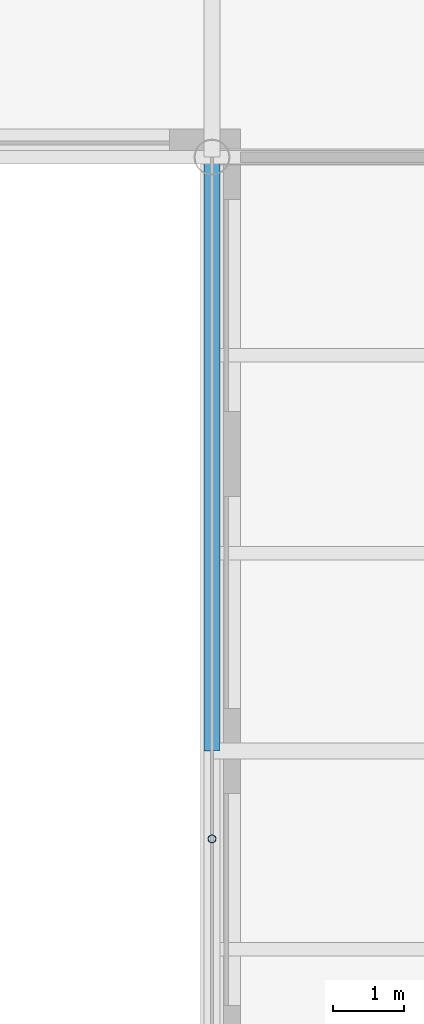
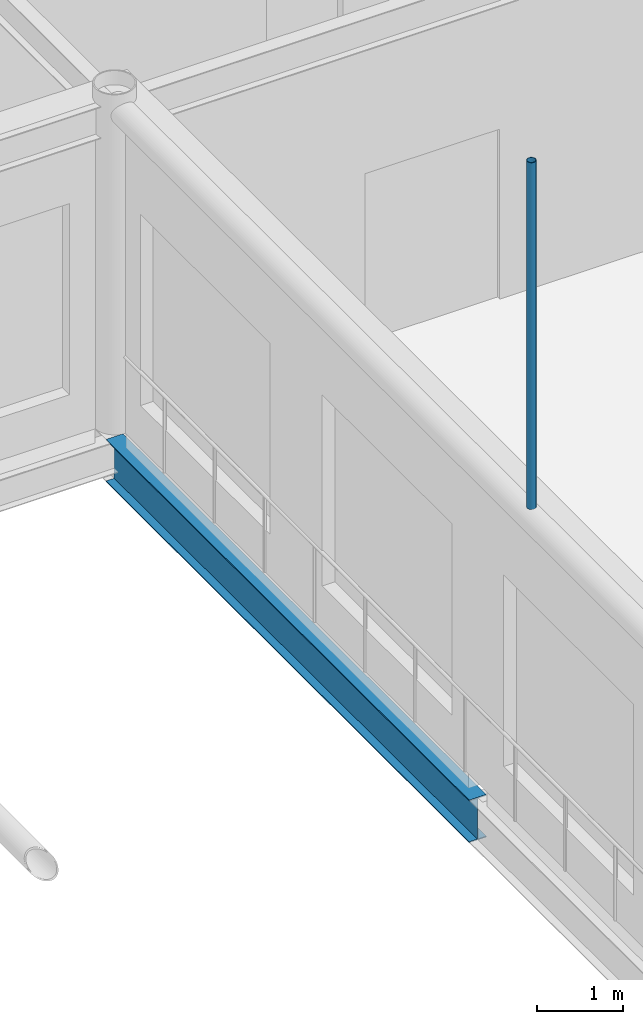
# One storey, part 60 of 167: 1 beam, 1 member.
"""IFC4 building model written with IfcOpenShell, lengths in metres."""

from ifc_helpers import new_model, si_unit, direction, frame, origin, origin_2d, place, context, subcontext, project, spatial, hollow_circle, i_section, extrude, material, material_profile, profile_set, type_object, element, save


model = new_model("IFC4")

# Units and contexts
model_context = context("Model", 3, precision=1e-05, world=origin(), true_north=direction((0.0, 1.0)))
body_context = subcontext(model_context, "Body", "Model", "MODEL_VIEW")
ifc_project = project(units=[si_unit("LENGTHUNIT", "METRE"), si_unit("AREAUNIT", "SQUARE_METRE"), si_unit("VOLUMEUNIT", "CUBIC_METRE"), si_unit("PLANEANGLEUNIT", "RADIAN"), si_unit("MASSUNIT", "GRAM", prefix="KILO")], contexts=[model_context])

# Site, building, storey
site_placement = place(None, origin())
site = spatial("IfcSite", under=ifc_project, at=site_placement, CompositionType="ELEMENT")
building_placement = place(site_placement, origin())
building = spatial("IfcBuilding", under=site, at=building_placement, Name="Catenary Quay Ferry Terminal", CompositionType="ELEMENT")
storey_placement = place(building_placement, frame((0.0, 0.0, 6.0)))
storey = spatial("IfcBuildingStorey", under=building, at=storey_placement, Name="L01", CompositionType="ELEMENT", Elevation=6.0)

# Beam
ifc_material_1 = material(Name="Steel S355", Category="steel")
ifc_material_profile_1 = material_profile(ifc_material_1, i_section(OverallWidth=0.2275390625, OverallDepth=0.6025390625, WebThickness=0.010498046875, FlangeThickness=0.014892578125, at=origin_2d()), Name="UB 610x229x101")
ifc_profile_set_1 = profile_set([ifc_material_profile_1], Name="Steel S355")
beam_type = type_object("IfcBeamType", Name="B3 UB 610x229x101", PredefinedType="BEAM", material=ifc_profile_set_1)
beam_placement = place(storey_placement, frame((58.800048828125, 92.39990234375, -0.5009765625), z_axis=(0.0, 1.0, 0.0), x_axis=(-1.0, 0.0, 0.0)))
element("IfcBeam", 1, at=beam_placement, inside=storey, type_object=beam_type, Name="Beam B3-028", PredefinedType="BEAM", context=body_context, shape_type="SweptSolid", body=[
    extrude(i_section(OverallWidth=0.2275390625, OverallDepth=0.6025390625, WebThickness=0.010498046875, FlangeThickness=0.014892578125, at=origin_2d()), origin(), (0.0, 0.0, 1.0), 8.400146484375),
])

# Member
ifc_material_2 = material(Name="Steel S355", Category="steel")
ifc_material_profile_2 = material_profile(ifc_material_2, hollow_circle(Radius=0.05712890625, WallThickness=0.00634765625, at=origin_2d()), Name="CHS 114.3x6.3")
ifc_profile_set_2 = profile_set([ifc_material_profile_2], Name="Steel S355")
member_type = type_object("IfcMemberType", Name="HG1 CHS 114.3x6.3", PredefinedType="POST", material=ifc_profile_set_2)
member_placement = place(storey_placement, frame((58.800048828125, 91.159912109375, 4.654052734375), z_axis=(0.0, 0.0, 1.0), x_axis=(1.0, 0.0, 0.0)))
element("IfcMember", 2, at=member_placement, inside=storey, type_object=member_type, Name="Hanger VA-05-07", PredefinedType="POST", context=body_context, shape_type="SweptSolid", body=[
    extrude(hollow_circle(Radius=0.05712890625, WallThickness=0.00634765625, at=origin_2d()), origin(), (0.0, 0.0, 1.0), 4.89599609375),
])

save(model, "model.ifc")
